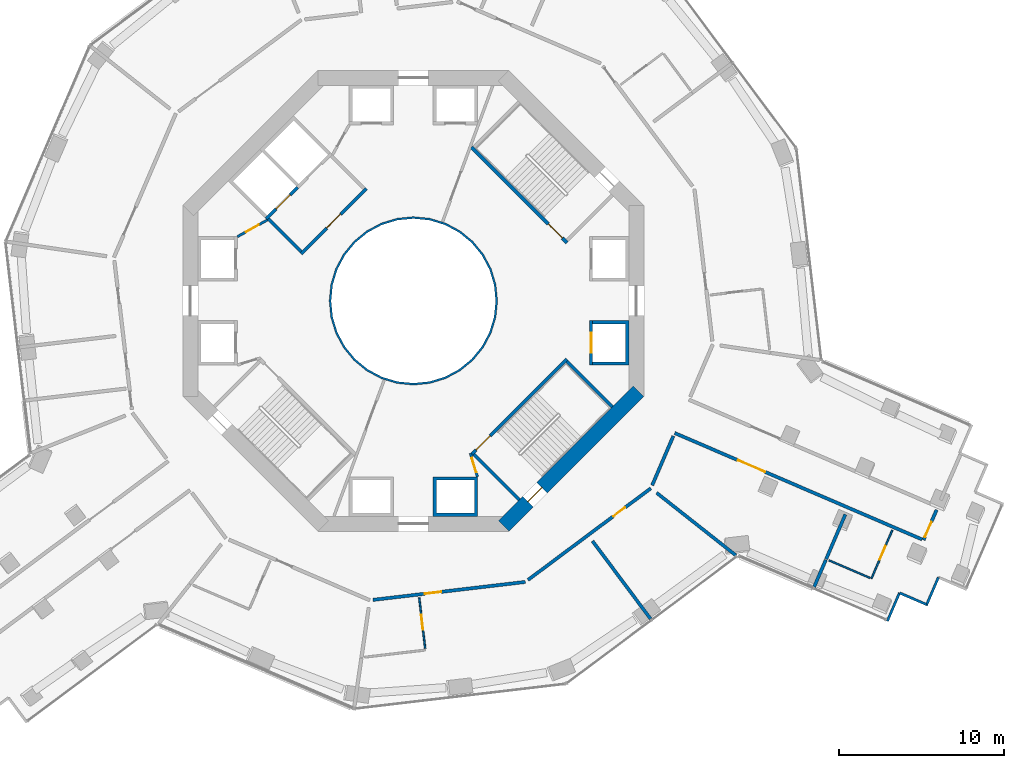
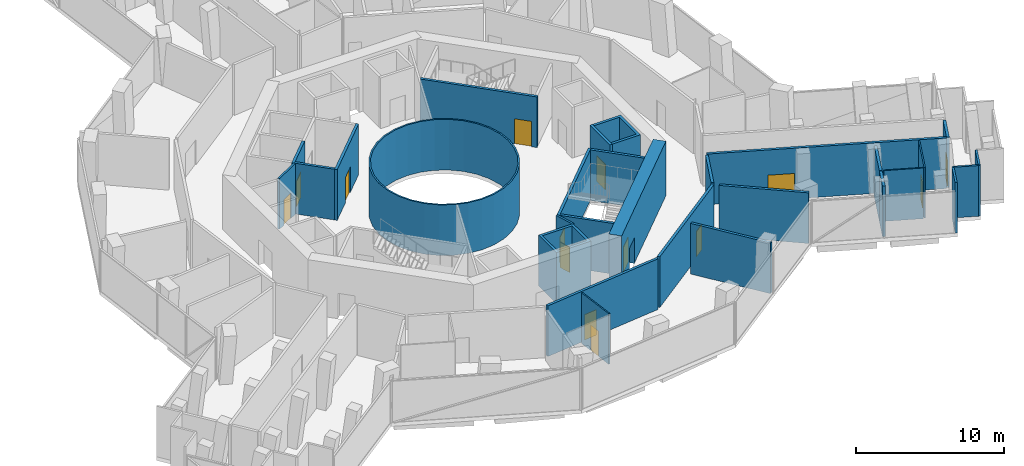
# One storey, part 12 of 17: 29 walls, 14 doors, 14 openings.
"""IFC4 building model written with IfcOpenShell, lengths in metres."""

from ifc_helpers import new_model, si_unit, direction, frame, frame_2d, origin, place, context, subcontext, project, spatial, polyline, rectangle, outline, extrude, material, layer, layer_set, type_object, element, fill, save


model = new_model("IFC4")

# Units and contexts
model_context = context("Model", 3, precision=1e-05, world=origin(), true_north=direction((0.0, 1.0)))
body_context = subcontext(model_context, "Body", "Model", "MODEL_VIEW")
ifc_project = project(units=[si_unit("LENGTHUNIT", "METRE"), si_unit("AREAUNIT", "SQUARE_METRE"), si_unit("VOLUMEUNIT", "CUBIC_METRE"), si_unit("PLANEANGLEUNIT", "RADIAN"), si_unit("MASSUNIT", "GRAM", prefix="KILO")], contexts=[model_context])

# Site, building, storey
site_placement = place(None, origin())
site = spatial("IfcSite", under=ifc_project, at=site_placement, CompositionType="ELEMENT")
building_placement = place(site_placement, origin())
building = spatial("IfcBuilding", under=site, at=building_placement, Name="Verdalira Terraces Hotel", CompositionType="ELEMENT")
storey_placement = place(building_placement, frame((0.0, 0.0, 60.0)))
storey = spatial("IfcBuildingStorey", under=building, at=storey_placement, Name="L13", CompositionType="ELEMENT", Elevation=60.0)

# Wall
ifc_material_1 = material(Name="Fire-resisting glass EI 180", Category="glass")
ifc_layer_1 = layer(ifc_material_1, 0.1201171875)
ifc_layer_set_1 = layer_set([ifc_layer_1], Name="Atrium fire screen 120 mm")
wall_type_1 = type_object("IfcWallType", Name="Atrium fire screen 120 mm", PredefinedType="SOLIDWALL", material=ifc_layer_set_1)
wall_1_placement = place(storey_placement, origin())
element("IfcWall", 1, at=wall_1_placement, inside=storey, type_object=wall_type_1, Name="Atrium fire screen", PredefinedType="SOLIDWALL", context=body_context, shape_type="SweptSolid", body=[
    extrude(outline(polyline([(5.021484, -0.998779), (4.730225, -1.959229), (4.25708, -2.844482), (3.620361, -3.620361), (2.844482, -4.25708), (1.959229, -4.730225), (0.998779, -5.021484), (0.0, -5.120117), (-0.998779, -5.021484), (-1.959229, -4.730225), (-2.844482, -4.25708), (-3.620361, -3.620361), (-4.25708, -2.844482), (-4.730225, -1.959229), (-5.021484, -0.998779), (-5.120117, 0.0), (-5.021484, 0.998779), (-4.730225, 1.959229), (-4.25708, 2.844482), (-3.620361, 3.620361), (-2.844482, 4.25708), (-1.959229, 4.730225), (-0.998779, 5.021484), (0.0, 5.120117), (0.998779, 5.021484), (1.959229, 4.730225), (2.844482, 4.25708), (3.620361, 3.620361), (4.25708, 2.844482), (4.730225, 1.959229), (5.021484, 0.998779), (5.120117, 0.0), (5.021484, -0.998779)]), holes=[polyline([(4.903809, 0.975586), (4.619385, 1.91333), (4.157227, 2.777832), (3.5354, 3.5354), (2.777832, 4.157227), (1.91333, 4.619385), (0.975586, 4.903809), (0.0, 5.0), (-0.975586, 4.903809), (-1.91333, 4.619385), (-2.777832, 4.157227), (-3.5354, 3.5354), (-4.157227, 2.777832), (-4.619385, 1.91333), (-4.903809, 0.975586), (-5.0, 0.0), (-4.903809, -0.975586), (-4.619385, -1.91333), (-4.157227, -2.777832), (-3.5354, -3.5354), (-2.777832, -4.157227), (-1.91333, -4.619385), (-0.975586, -4.903809), (0.0, -5.0), (0.975586, -4.903809), (1.91333, -4.619385), (2.777832, -4.157227), (3.5354, -3.5354), (4.157227, -2.777832), (4.619385, -1.91333), (4.903809, -0.975586), (5.0, 0.0), (4.903809, 0.975586)])]), origin(), (0.0, 0.0, 1.0), 4.189941),
])

# Wall, opening, door
ifc_material_2 = material(Name="Moisture-resistant gypsum board partition")
ifc_layer_2 = layer(ifc_material_2, 0.10009765625)
ifc_layer_set_2 = layer_set([ifc_layer_2], Name="Bathroom partition 100 mm")
wall_type_2 = type_object("IfcWallType", Name="Bathroom partition 100 mm", PredefinedType="PARTITIONING", material=ifc_layer_set_2)
wall_2_placement = place(storey_placement, frame((0.718018, -21.119385, 0.0), z_axis=(0.0, 0.0, 1.0), x_axis=(-0.117033166, 0.993128007, 0.0)))
wall_2 = element("IfcWall", 2, at=wall_2_placement, inside=storey, type_object=wall_type_2, Name="Bathroom partition", PredefinedType="PARTITIONING", context=body_context, shape_type="SweptSolid", body=[
    extrude(rectangle(XDim=3.099854, YDim=0.100098, at=frame_2d((1.549805, 0.0))), origin(), (0.0, 0.0, 1.0), 4.189941),
])
opening_1_placement = place(wall_2_placement, frame((1.149902, 0.0, 0.0)))
opening_1 = element("IfcOpeningElement", 3, at=opening_1_placement, cuts=wall_2, Name="Opening L13-114", PredefinedType="OPENING", context=body_context, shape_type="SweptSolid", body=[
    extrude(rectangle(XDim=0.899902, YDim=2.100098, at=frame_2d((0.449951, 1.050049))), frame((0.0, 0.060059, 0.0), z_axis=(0.0, -1.0, 0.0), x_axis=(1.0, 0.0, 0.0)), (0.0, 0.0, 1.0), 0.120117),
])
ifc_material_3 = material(Name="Timber door", Category="wood")
door_type_1 = type_object("IfcDoorType", Name="Bathroom door 900 x 2100", OperationType="NOTDEFINED", PredefinedType="DOOR", material=ifc_material_3)
door_1_placement = place(opening_1_placement, origin())
door_1 = element("IfcDoor", 4, at=door_1_placement, inside=storey, type_object=door_type_1, Name="Bathroom door 1310", OperationType="SINGLE_SWING_LEFT", OverallHeight=2.10009765625, OverallWidth=0.89990234375, PredefinedType="DOOR", context=body_context, shape_type="SweptSolid", body=[
    extrude(rectangle(XDim=0.899902, YDim=2.100098, at=frame_2d((0.449951, 1.050049))), frame((0.0, 0.024902, 0.0), z_axis=(0.0, -1.0, 0.0), x_axis=(1.0, 0.0, 0.0)), (0.0, 0.0, 1.0), 0.050049),
])
fill(opening_1, door_1)

# Wall
wall_3_placement = place(storey_placement, frame((27.746094, -16.83667, 0.0), z_axis=(0.0, 0.0, 1.0), x_axis=(-0.918582866, 0.395228438, 0.0)))
element("IfcWall", 5, at=wall_3_placement, inside=storey, type_object=wall_type_2, Name="Bathroom partition", PredefinedType="PARTITIONING", context=body_context, shape_type="SweptSolid", body=[
    extrude(rectangle(XDim=2.699951, YDim=0.100098, at=frame_2d((1.350098, 0.0))), origin(), (0.0, 0.0, 1.0), 4.189941),
])

# Wall, opening, door
wall_4_placement = place(storey_placement, frame((27.837891, -16.876221, 0.0), z_axis=(0.0, 0.0, 1.0), x_axis=(0.395272409, 0.918563946, 0.0)))
wall_4 = element("IfcWall", 6, at=wall_4_placement, inside=storey, type_object=wall_type_2, Name="Bathroom partition", PredefinedType="PARTITIONING", context=body_context, shape_type="SweptSolid", body=[
    extrude(rectangle(XDim=3.199951, YDim=0.100098, at=frame_2d((1.600098, 0.0))), origin(), (0.0, 0.0, 1.0), 4.189941),
])
opening_2_placement = place(wall_4_placement, frame((1.25, 0.0, 0.0)))
opening_2 = element("IfcOpeningElement", 7, at=opening_2_placement, cuts=wall_4, Name="Opening L13-118", PredefinedType="OPENING", context=body_context, shape_type="SweptSolid", body=[
    extrude(rectangle(XDim=0.899902, YDim=2.100098, at=frame_2d((0.449951, 1.050049))), frame((0.0, 0.060059, 0.0), z_axis=(0.0, -1.0, 0.0), x_axis=(1.0, 0.0, 0.0)), (0.0, 0.0, 1.0), 0.120117),
])
door_2_placement = place(opening_2_placement, origin())
door_2 = element("IfcDoor", 8, at=door_2_placement, inside=storey, type_object=door_type_1, Name="Bathroom door 1313", OperationType="SINGLE_SWING_LEFT", OverallHeight=2.10009765625, OverallWidth=0.89990234375, PredefinedType="DOOR", context=body_context, shape_type="SweptSolid", body=[
    extrude(rectangle(XDim=0.899902, YDim=2.100098, at=frame_2d((0.449951, 1.050049))), frame((0.0, 0.024902, 0.0), z_axis=(0.0, -1.0, 0.0), x_axis=(1.0, 0.0, 0.0)), (0.0, 0.0, 1.0), 0.050049),
])
fill(opening_2, door_2)

# Wall
ifc_material_4 = material(Name="Concrete C50", Category="concrete")
ifc_layer_3 = layer(ifc_material_4, 0.199951171875)
ifc_layer_set_3 = layer_set([ifc_layer_3], Name="Core RC wall 200 C50")
wall_type_3 = type_object("IfcWallType", Name="Core RC wall 200 C50", PredefinedType="SOLIDWALL", material=ifc_layer_set_3)
wall_5_placement = place(storey_placement, origin())
element("IfcWall", 9, at=wall_5_placement, inside=storey, type_object=wall_type_3, Name="L13 shaft wall E1", PredefinedType="SOLIDWALL", context=body_context, shape_type="SweptSolid", body=[
    extrude(outline(polyline([(13.100098, -3.899902), (10.899902, -3.899902), (10.899902, -3.699951), (12.899902, -3.699951), (12.899902, -1.399902), (10.899902, -1.399902), (10.899902, -1.199951), (13.100098, -1.199951), (13.100098, -3.899902)])), origin(), (0.0, 0.0, 1.0), 4.189941),
])

# Wall, opening, door
wall_6_placement = place(storey_placement, frame((10.800049, -1.199951, 0.0), z_axis=(0.0, 0.0, 1.0), x_axis=(0.0, -1.0, 0.0)))
wall_6 = element("IfcWall", 10, at=wall_6_placement, inside=storey, type_object=wall_type_3, Name="L13 shaft front wall E1", PredefinedType="SOLIDWALL", context=body_context, shape_type="SweptSolid", body=[
    extrude(rectangle(XDim=2.699951, YDim=0.199951, at=frame_2d((1.350098, 0.0))), origin(), (0.0, 0.0, 1.0), 4.189941),
])
opening_3_placement = place(wall_6_placement, frame((0.75, 0.0, 0.0)))
opening_3 = element("IfcOpeningElement", 11, at=opening_3_placement, cuts=wall_6, Name="Opening LD-L13-801", PredefinedType="OPENING", context=body_context, shape_type="SweptSolid", body=[
    extrude(rectangle(XDim=1.199951, YDim=2.100098, at=frame_2d((0.600098, 1.050049))), frame((0.0, 0.109863, 0.0), z_axis=(0.0, -1.0, 0.0), x_axis=(1.0, 0.0, 0.0)), (0.0, 0.0, 1.0), 0.219971),
])
ifc_material_5 = material(Name="Stainless steel", Category="steel")
door_type_2 = type_object("IfcDoorType", Name="Landing door 1200 x 2100", OperationType="NOTDEFINED", PredefinedType="DOOR", material=ifc_material_5)
door_3_placement = place(opening_3_placement, origin())
door_3 = element("IfcDoor", 12, at=door_3_placement, inside=storey, type_object=door_type_2, Name="Lift landing door LR1 L13", OperationType="DOUBLE_DOOR_SLIDING", OverallHeight=2.10009765625, OverallWidth=1.199951171875, PredefinedType="DOOR", context=body_context, shape_type="SweptSolid", body=[
    extrude(rectangle(XDim=1.199951, YDim=2.100098, at=frame_2d((0.600098, 1.050049))), frame((0.0, 0.024902, 0.0), z_axis=(0.0, -1.0, 0.0), x_axis=(1.0, 0.0, 0.0)), (0.0, 0.0, 1.0), 0.050049),
])
fill(opening_3, door_3)

# Wall
wall_7_placement = place(storey_placement, origin())
element("IfcWall", 13, at=wall_7_placement, inside=storey, type_object=wall_type_3, Name="L13 shaft wall S2", PredefinedType="SOLIDWALL", context=body_context, shape_type="SweptSolid", body=[
    extrude(outline(polyline([(3.899902, -10.699951), (3.899902, -13.100098), (1.199951, -13.100098), (1.199951, -10.699951), (3.899902, -10.699951)]), holes=[polyline([(1.399902, -12.899902), (3.699951, -12.899902), (3.699951, -10.899902), (1.399902, -10.899902), (1.399902, -12.899902)])]), origin(), (0.0, 0.0, 1.0), 4.189941),
])

# Wall, opening, door
wall_8_placement = place(storey_placement, frame((-7.035645, 6.894287, 0.0), z_axis=(0.0, 0.0, 1.0), x_axis=(-0.707106781, -0.707106781, 0.0)))
wall_8 = element("IfcWall", 14, at=wall_8_placement, inside=storey, type_object=wall_type_3, Name="L13 shaft front wall F2", PredefinedType="SOLIDWALL", context=body_context, shape_type="SweptSolid", body=[
    extrude(rectangle(XDim=2.699951, YDim=0.199951, at=frame_2d((1.350098, 0.0))), origin(), (0.0, 0.0, 1.0), 4.189941),
])
opening_4_placement = place(wall_8_placement, frame((0.649902, 0.0, 0.0)))
opening_4 = element("IfcOpeningElement", 15, at=opening_4_placement, cuts=wall_8, Name="Opening LD-L13-808", PredefinedType="OPENING", context=body_context, shape_type="SweptSolid", body=[
    extrude(rectangle(XDim=1.199951, YDim=2.100098, at=frame_2d((0.600098, 1.050049))), frame((0.0, 0.109863, 0.0), z_axis=(0.0, -1.0, 0.0), x_axis=(1.0, 0.0, 0.0)), (0.0, 0.0, 1.0), 0.219971),
])
door_4_placement = place(opening_4_placement, origin())
door_4 = element("IfcDoor", 16, at=door_4_placement, inside=storey, type_object=door_type_2, Name="Lift landing door LF12 L13", OperationType="DOUBLE_DOOR_SLIDING", OverallHeight=2.10009765625, OverallWidth=1.199951171875, PredefinedType="DOOR", context=body_context, shape_type="SweptSolid", body=[
    extrude(rectangle(XDim=1.199951, YDim=2.100098, at=frame_2d((0.600098, 1.050049))), frame((0.0, 0.024902, 0.0), z_axis=(0.0, -1.0, 0.0), x_axis=(1.0, 0.0, 0.0)), (0.0, 0.0, 1.0), 0.050049),
])
fill(opening_4, door_4)

wall_9_placement = place(storey_placement, frame((3.5354, 9.33374, 0.0), z_axis=(0.0, 0.0, 1.0), x_axis=(0.707106781, -0.707106781, 0.0)))
wall_9 = element("IfcWall", 17, at=wall_9_placement, inside=storey, type_object=wall_type_3, Name="L13 stair ST1 front wall", PredefinedType="SOLIDWALL", context=body_context, shape_type="SweptSolid", body=[
    extrude(rectangle(XDim=8.200195, YDim=0.199951, at=frame_2d((4.100098, 0.0))), origin(), (0.0, 0.0, 1.0), 4.189941),
])
opening_5_placement = place(wall_9_placement, frame((6.600098, 0.0, 0.0)))
opening_5 = element("IfcOpeningElement", 18, at=opening_5_placement, cuts=wall_9, Name="Opening L13-809", PredefinedType="OPENING", context=body_context, shape_type="SweptSolid", body=[
    extrude(rectangle(XDim=1.199951, YDim=2.100098, at=frame_2d((0.600098, 1.050049))), frame((0.0, 0.109863, 0.0), z_axis=(0.0, -1.0, 0.0), x_axis=(1.0, 0.0, 0.0)), (0.0, 0.0, 1.0), 0.219971),
])
ifc_material_6 = material(Name="Steel fire door", Category="steel")
door_type_3 = type_object("IfcDoorType", Name="Stair door 1200 x 2100", OperationType="NOTDEFINED", PredefinedType="DOOR", material=ifc_material_6)
door_5_placement = place(opening_5_placement, origin())
door_5 = element("IfcDoor", 19, at=door_5_placement, inside=storey, type_object=door_type_3, Name="Stair door ST1 L13", OperationType="SINGLE_SWING_RIGHT", OverallHeight=2.10009765625, OverallWidth=1.199951171875, PredefinedType="DOOR", context=body_context, shape_type="SweptSolid", body=[
    extrude(rectangle(XDim=1.199951, YDim=2.100098, at=frame_2d((0.600098, 1.050049))), frame((0.0, 0.024902, 0.0), z_axis=(0.0, -1.0, 0.0), x_axis=(1.0, 0.0, 0.0)), (0.0, 0.0, 1.0), 0.050049),
])
fill(opening_5, door_5)

wall_10_placement = place(storey_placement, frame((9.33374, -3.5354, 0.0), z_axis=(0.0, 0.0, 1.0), x_axis=(-0.707106781, -0.707106781, 0.0)))
wall_10 = element("IfcWall", 20, at=wall_10_placement, inside=storey, type_object=wall_type_3, Name="L13 stair ST3 front wall", PredefinedType="SOLIDWALL", context=body_context, shape_type="SweptSolid", body=[
    extrude(rectangle(XDim=8.200195, YDim=0.199951, at=frame_2d((4.100098, 0.0))), origin(), (0.0, 0.0, 1.0), 4.189941),
])
opening_6_placement = place(wall_10_placement, frame((6.600098, 0.0, 0.0)))
opening_6 = element("IfcOpeningElement", 21, at=opening_6_placement, cuts=wall_10, Name="Opening L13-811", PredefinedType="OPENING", context=body_context, shape_type="SweptSolid", body=[
    extrude(rectangle(XDim=1.199951, YDim=2.100098, at=frame_2d((0.600098, 1.050049))), frame((0.0, 0.109863, 0.0), z_axis=(0.0, -1.0, 0.0), x_axis=(1.0, 0.0, 0.0)), (0.0, 0.0, 1.0), 0.219971),
])
door_6_placement = place(opening_6_placement, origin())
door_6 = element("IfcDoor", 22, at=door_6_placement, inside=storey, type_object=door_type_3, Name="Stair door ST3 L13", OperationType="SINGLE_SWING_RIGHT", OverallHeight=2.10009765625, OverallWidth=1.199951171875, PredefinedType="DOOR", context=body_context, shape_type="SweptSolid", body=[
    extrude(rectangle(XDim=1.199951, YDim=2.100098, at=frame_2d((0.600098, 1.050049))), frame((0.0, 0.024902, 0.0), z_axis=(0.0, -1.0, 0.0), x_axis=(1.0, 0.0, 0.0)), (0.0, 0.0, 1.0), 0.050049),
])
fill(opening_6, door_6)

# Walls
for number, where, z_axis, x_axis, name in (
    (23, (3.677002, -9.33374, 0.0), (0.0, 0.0, 1.0), (0.707106781, -0.707106781, 0.0), "L13 stair ST3 end wall 1"),
    (24, (9.33374, -3.677002, 0.0), (0.0, 0.0, 1.0), (0.707106781, -0.707106781, 0.0), "L13 stair ST3 end wall 2"),
):
    element("IfcWall", number, at=place(storey_placement, frame(where, z_axis=z_axis, x_axis=x_axis)), inside=storey, type_object=wall_type_3, Name=name, PredefinedType="SOLIDWALL", context=body_context, shape_type="SweptSolid", body=[
        extrude(rectangle(XDim=3.900146, YDim=0.199951, at=frame_2d((1.950195, 0.0))), origin(), (0.0, 0.0, 1.0), 4.189941),
    ])

# Wall, opening, door
wall_11_placement = place(storey_placement, frame((-2.86377, 6.823486, 0.0), z_axis=(0.0, 0.0, 1.0), x_axis=(-0.707106781, -0.707106781, 0.0)))
wall_11 = element("IfcWall", 25, at=wall_11_placement, inside=storey, type_object=wall_type_3, Name="L13 fire lobby wall", PredefinedType="SOLIDWALL", context=body_context, shape_type="SweptSolid", body=[
    extrude(rectangle(XDim=5.599854, YDim=0.199951, at=frame_2d((2.799805, 0.0))), origin(), (0.0, 0.0, 1.0), 4.189941),
])
opening_7_placement = place(wall_11_placement, frame((2.199951, 0.0, 0.0)))
opening_7 = element("IfcOpeningElement", 26, at=opening_7_placement, cuts=wall_11, Name="Opening L13-819", PredefinedType="OPENING", context=body_context, shape_type="SweptSolid", body=[
    extrude(rectangle(XDim=1.199951, YDim=2.100098, at=frame_2d((0.600098, 1.050049))), frame((0.0, 0.109863, 0.0), z_axis=(0.0, -1.0, 0.0), x_axis=(1.0, 0.0, 0.0)), (0.0, 0.0, 1.0), 0.219971),
])
ifc_material_7 = material(Name="Steel fire door", Category="steel")
door_type_4 = type_object("IfcDoorType", Name="Lobby door 1200 x 2100", OperationType="NOTDEFINED", PredefinedType="DOOR", material=ifc_material_7)
door_7_placement = place(opening_7_placement, origin())
door_7 = element("IfcDoor", 27, at=door_7_placement, inside=storey, type_object=door_type_4, Name="Fire lobby door L13", OperationType="SINGLE_SWING_LEFT", OverallHeight=2.10009765625, OverallWidth=1.199951171875, PredefinedType="DOOR", context=body_context, shape_type="SweptSolid", body=[
    extrude(rectangle(XDim=1.199951, YDim=2.100098, at=frame_2d((0.600098, 1.050049))), frame((0.0, 0.024902, 0.0), z_axis=(0.0, -1.0, 0.0), x_axis=(1.0, 0.0, 0.0)), (0.0, 0.0, 1.0), 0.050049),
])
fill(opening_7, door_7)

# Wall
wall_12_placement = place(storey_placement, frame((-6.823486, 3.005127, 0.0), z_axis=(0.0, 0.0, 1.0), x_axis=(-0.707106781, 0.707106781, 0.0)))
element("IfcWall", 28, at=wall_12_placement, inside=storey, type_object=wall_type_3, Name="L13 fire lobby wall", PredefinedType="SOLIDWALL", context=body_context, shape_type="SweptSolid", body=[
    extrude(rectangle(XDim=2.800049, YDim=0.199951, at=frame_2d((1.399902, 0.0))), origin(), (0.0, 0.0, 1.0), 4.189941),
])

# Wall, opening, door
ifc_material_8 = material(Name="Gypsum board partition")
ifc_layer_4 = layer(ifc_material_8, 0.14990234375)
ifc_layer_set_4 = layer_set([ifc_layer_4], Name="Core partition 150 mm")
wall_type_4 = type_object("IfcWallType", Name="Core partition 150 mm", PredefinedType="PARTITIONING", material=ifc_layer_set_4)
wall_13_placement = place(storey_placement, frame((-8.874268, 4.914307, 0.0), z_axis=(0.0, 0.0, 1.0), x_axis=(-0.874129705, -0.485692555, 0.0)))
wall_13 = element("IfcWall", 29, at=wall_13_placement, inside=storey, type_object=wall_type_4, Name="Room partition L13", PredefinedType="PARTITIONING", context=body_context, shape_type="SweptSolid", body=[
    extrude(rectangle(XDim=2.088623, YDim=0.149902, at=frame_2d((1.044434, 0.0))), origin(), (0.0, 0.0, 1.0), 4.189941),
])
opening_8_placement = place(wall_13_placement, frame((0.594238, 0.0, 0.0)))
opening_8 = element("IfcOpeningElement", 30, at=opening_8_placement, cuts=wall_13, Name="Opening L13-821", PredefinedType="OPENING", context=body_context, shape_type="SweptSolid", body=[
    extrude(rectangle(XDim=0.899902, YDim=2.100098, at=frame_2d((0.449951, 1.050049))), frame((0.0, 0.084961, 0.0), z_axis=(0.0, -1.0, 0.0), x_axis=(1.0, 0.0, 0.0)), (0.0, 0.0, 1.0), 0.169922),
])
ifc_material_9 = material(Name="Steel fire door", Category="steel")
door_type_5 = type_object("IfcDoorType", Name="Core room door 900 x 2100", OperationType="NOTDEFINED", PredefinedType="DOOR", material=ifc_material_9)
door_8_placement = place(opening_8_placement, origin())
door_8 = element("IfcDoor", 31, at=door_8_placement, inside=storey, type_object=door_type_5, Name="Door L13 room3", OperationType="SINGLE_SWING_LEFT", OverallHeight=2.10009765625, OverallWidth=0.89990234375, PredefinedType="DOOR", context=body_context, shape_type="SweptSolid", body=[
    extrude(rectangle(XDim=0.899902, YDim=2.100098, at=frame_2d((0.449951, 1.050049))), frame((0.0, 0.024902, 0.0), z_axis=(0.0, -1.0, 0.0), x_axis=(1.0, 0.0, 0.0)), (0.0, 0.0, 1.0), 0.050049),
])
fill(opening_8, door_8)

wall_14_placement = place(storey_placement, frame((3.899902, -10.699951, 0.0), z_axis=(0.0, 0.0, 1.0), x_axis=(-0.289808785, 0.957084567, 0.0)))
wall_14 = element("IfcWall", 32, at=wall_14_placement, inside=storey, type_object=wall_type_4, Name="Room partition L13", PredefinedType="PARTITIONING", context=body_context, shape_type="SweptSolid", body=[
    extrude(rectangle(XDim=1.501221, YDim=0.149902, at=frame_2d((0.750488, 0.0))), origin(), (0.0, 0.0, 1.0), 4.189941),
])
opening_9_placement = place(wall_14_placement, frame((0.300781, 0.0, 0.0)))
opening_9 = element("IfcOpeningElement", 33, at=opening_9_placement, cuts=wall_14, Name="Opening L13-823", PredefinedType="OPENING", context=body_context, shape_type="SweptSolid", body=[
    extrude(rectangle(XDim=0.899902, YDim=2.100098, at=frame_2d((0.449951, 1.050049))), frame((0.0, 0.084961, 0.0), z_axis=(0.0, -1.0, 0.0), x_axis=(1.0, 0.0, 0.0)), (0.0, 0.0, 1.0), 0.169922),
])
door_9_placement = place(opening_9_placement, origin())
door_9 = element("IfcDoor", 34, at=door_9_placement, inside=storey, type_object=door_type_5, Name="Door L13 room6", OperationType="SINGLE_SWING_LEFT", OverallHeight=2.10009765625, OverallWidth=0.89990234375, PredefinedType="DOOR", context=body_context, shape_type="SweptSolid", body=[
    extrude(rectangle(XDim=0.899902, YDim=2.100098, at=frame_2d((0.449951, 1.050049))), frame((0.0, 0.024902, 0.0), z_axis=(0.0, -1.0, 0.0), x_axis=(1.0, 0.0, 0.0)), (0.0, 0.0, 1.0), 0.050049),
])
fill(opening_9, door_9)

ifc_material_10 = material(Name="Concrete C70", Category="concrete")
ifc_layer_5 = layer(ifc_material_10, 0.89990234375)
ifc_layer_set_5 = layer_set([ifc_layer_5], Name="Core wall 900 C70")
wall_type_5 = type_object("IfcWallType", Name="Core wall 900 C70", PredefinedType="SHEAR", material=ifc_layer_set_5)
wall_15_placement = place(storey_placement, frame((5.480713, -13.681885, 0.0), z_axis=(0.0, 0.0, 1.0), x_axis=(0.707106781, 0.707106781, 0.0)))
wall_15 = element("IfcWall", 35, at=wall_15_placement, inside=storey, type_object=wall_type_5, Name="Core wall CW-L13-8", PredefinedType="SHEAR", context=body_context, shape_type="SweptSolid", body=[
    extrude(rectangle(XDim=11.598145, YDim=0.899902, at=frame_2d((5.799072, 0.0))), origin(), (0.0, 0.0, 1.0), 4.5),
])
opening_10_placement = place(wall_15_placement, frame((2.099121, 0.0, 0.0)))
opening_10 = element("IfcOpeningElement", 36, at=opening_10_placement, cuts=wall_15, Name="Opening L13-818", PredefinedType="OPENING", context=body_context, shape_type="SweptSolid", body=[
    extrude(rectangle(XDim=1.199951, YDim=2.100098, at=frame_2d((0.600098, 1.050049))), frame((0.0, 0.459961, 0.0), z_axis=(0.0, -1.0, 0.0), x_axis=(1.0, 0.0, 0.0)), (0.0, 0.0, 1.0), 0.919922),
])
door_10_placement = place(opening_10_placement, origin())
door_10 = element("IfcDoor", 37, at=door_10_placement, inside=storey, type_object=door_type_3, Name="Stair exit door ST3 L13", OperationType="SINGLE_SWING_LEFT", OverallHeight=2.10009765625, OverallWidth=1.199951171875, PredefinedType="DOOR", context=body_context, shape_type="SweptSolid", body=[
    extrude(rectangle(XDim=1.199951, YDim=2.100098, at=frame_2d((0.600098, 1.050049))), frame((0.0, 0.024902, 0.0), z_axis=(0.0, -1.0, 0.0), x_axis=(1.0, 0.0, 0.0)), (0.0, 0.0, 1.0), 0.050049),
])
fill(opening_10, door_10)

# Walls
ifc_material_11 = material(Name="Fire-rated gypsum board wall")
ifc_layer_6 = layer(ifc_material_11, 0.199951171875)
ifc_layer_set_6 = layer_set([ifc_layer_6], Name="Demising wall 200 mm")
wall_type_6 = type_object("IfcWallType", Name="Demising wall 200 mm", PredefinedType="SOLIDWALL", material=ifc_layer_set_6)
wall_16_placement = place(storey_placement, frame((25.063232, -15.734619, 0.0), z_axis=(0.0, 0.0, 1.0), x_axis=(-0.395210692, -0.918590501, 0.0)))
element("IfcWall", 38, at=wall_16_placement, inside=storey, type_object=wall_type_6, Name="Demising wall", PredefinedType="SOLIDWALL", context=body_context, shape_type="SweptSolid", body=[
    extrude(rectangle(XDim=1.802002, YDim=0.199951, at=frame_2d((0.900879, 0.0))), origin(), (0.0, 0.0, 1.0), 4.189941),
])
wall_17_placement = place(storey_placement, frame((26.249268, -12.978271, 0.0), z_axis=(0.0, 0.0, 1.0), x_axis=(-0.395285049, -0.918558506, 0.0)))
element("IfcWall", 39, at=wall_17_placement, inside=storey, type_object=wall_type_6, Name="Demising wall", PredefinedType="SOLIDWALL", context=body_context, shape_type="SweptSolid", body=[
    extrude(rectangle(XDim=2.954834, YDim=0.199951, at=frame_2d((1.477539, 0.0))), origin(), (0.0, 0.0, 1.0), 4.189941),
])

# Wall, opening, door
ifc_material_12 = material(Name="Fire-rated gypsum board wall")
ifc_layer_7 = layer(ifc_material_12, 0.199951171875)
ifc_layer_set_7 = layer_set([ifc_layer_7], Name="Guest corridor wall 200 mm")
wall_type_7 = type_object("IfcWallType", Name="Guest corridor wall 200 mm", PredefinedType="SOLIDWALL", material=ifc_layer_set_7)
wall_18_placement = place(storey_placement, frame((6.802979, -17.07959, 0.0), z_axis=(0.0, 0.0, 1.0), x_axis=(-0.993130375, -0.117013065, 0.0)))
wall_18 = element("IfcWall", 40, at=wall_18_placement, inside=storey, type_object=wall_type_7, Name="Guest corridor wall", PredefinedType="SOLIDWALL", context=body_context, shape_type="SweptSolid", body=[
    extrude(rectangle(XDim=9.315918, YDim=0.199951, at=frame_2d((4.657959, 0.0))), origin(), (0.0, 0.0, 1.0), 4.189941),
])
opening_11_placement = place(wall_18_placement, frame((5.149902, 0.0, 0.0)))
opening_11 = element("IfcOpeningElement", 41, at=opening_11_placement, cuts=wall_18, Name="Opening L13-113", PredefinedType="OPENING", context=body_context, shape_type="SweptSolid", body=[
    extrude(rectangle(XDim=1.0, YDim=2.100098, at=frame_2d((0.5, 1.050049))), frame((0.0, 0.109863, 0.0), z_axis=(0.0, -1.0, 0.0), x_axis=(1.0, 0.0, 0.0)), (0.0, 0.0, 1.0), 0.219971),
])
ifc_material_13 = material(Name="Timber fire door", Category="wood")
door_type_6 = type_object("IfcDoorType", Name="Guest entry door 1000 x 2100", OperationType="NOTDEFINED", PredefinedType="DOOR", material=ifc_material_13)
door_11_placement = place(opening_11_placement, origin())
door_11 = element("IfcDoor", 42, at=door_11_placement, inside=storey, type_object=door_type_6, Name="Guest entry door 1310", OperationType="SINGLE_SWING_LEFT", OverallHeight=2.10009765625, OverallWidth=1.0, PredefinedType="DOOR", context=body_context, shape_type="SweptSolid", body=[
    extrude(rectangle(XDim=1.0, YDim=2.100098, at=frame_2d((0.5, 1.050049))), frame((0.0, 0.024902, 0.0), z_axis=(0.0, -1.0, 0.0), x_axis=(1.0, 0.0, 0.0)), (0.0, 0.0, 1.0), 0.050049),
])
fill(opening_11, door_11)

wall_19_placement = place(storey_placement, frame((14.431885, -11.389404, 0.0), z_axis=(0.0, 0.0, 1.0), x_axis=(-0.801560206, -0.59791407, 0.0)))
wall_19 = element("IfcWall", 43, at=wall_19_placement, inside=storey, type_object=wall_type_7, Name="Guest corridor wall", PredefinedType="SOLIDWALL", context=body_context, shape_type="SweptSolid", body=[
    extrude(rectangle(XDim=9.316162, YDim=0.199951, at=frame_2d((4.658203, 0.0))), origin(), (0.0, 0.0, 1.0), 4.189941),
])
opening_12_placement = place(wall_19_placement, frame((1.949951, 0.0, 0.0)))
opening_12 = element("IfcOpeningElement", 44, at=opening_12_placement, cuts=wall_19, Name="Opening L13-115", PredefinedType="OPENING", context=body_context, shape_type="SweptSolid", body=[
    extrude(rectangle(XDim=0.899902, YDim=2.100098, at=frame_2d((0.449951, 1.050049))), frame((0.0, 0.109863, 0.0), z_axis=(0.0, -1.0, 0.0), x_axis=(1.0, 0.0, 0.0)), (0.0, 0.0, 1.0), 0.219971),
])
ifc_material_14 = material(Name="Steel fire door", Category="steel")
door_type_7 = type_object("IfcDoorType", Name="Service room door 900 x 2100", OperationType="NOTDEFINED", PredefinedType="DOOR", material=ifc_material_14)
door_12_placement = place(opening_12_placement, origin())
door_12 = element("IfcDoor", 45, at=door_12_placement, inside=storey, type_object=door_type_7, Name="Service room door 1311", OperationType="SINGLE_SWING_LEFT", OverallHeight=2.10009765625, OverallWidth=0.89990234375, PredefinedType="DOOR", context=body_context, shape_type="SweptSolid", body=[
    extrude(rectangle(XDim=0.899902, YDim=2.100098, at=frame_2d((0.449951, 1.050049))), frame((0.0, 0.024902, 0.0), z_axis=(0.0, -1.0, 0.0), x_axis=(1.0, 0.0, 0.0)), (0.0, 0.0, 1.0), 0.050049),
])
fill(opening_12, door_12)

# Wall
wall_20_placement = place(storey_placement, frame((14.510986, -11.205811, 0.0), z_axis=(0.0, 0.0, 1.0), x_axis=(0.395166864, 0.918609357, 0.0)))
element("IfcWall", 46, at=wall_20_placement, inside=storey, type_object=wall_type_7, Name="Guest corridor wall", PredefinedType="SOLIDWALL", context=body_context, shape_type="SweptSolid", body=[
    extrude(rectangle(XDim=3.258301, YDim=0.199951, at=frame_2d((1.62915, 0.0))), origin(), (0.0, 0.0, 1.0), 4.189941),
])

# Wall, opening, door
wall_21_placement = place(storey_placement, frame((30.909668, -14.496582, 0.0), z_axis=(0.0, 0.0, 1.0), x_axis=(-0.91858541, 0.395222525, 0.0)))
wall_21 = element("IfcWall", 47, at=wall_21_placement, inside=storey, type_object=wall_type_7, Name="Guest corridor wall", PredefinedType="SOLIDWALL", context=body_context, shape_type="SweptSolid", body=[
    extrude(rectangle(XDim=16.364258, YDim=0.199951, at=frame_2d((8.182129, 0.0))), origin(), (0.0, 0.0, 1.0), 4.189941),
])
opening_13_placement = place(wall_21_placement, frame((10.381104, 0.0, 0.0)))
opening_13 = element("IfcOpeningElement", 48, at=opening_13_placement, cuts=wall_21, Name="Opening L13-116", PredefinedType="OPENING", context=body_context, shape_type="SweptSolid", body=[
    extrude(rectangle(XDim=1.800049, YDim=2.100098, at=frame_2d((0.899902, 1.050049))), frame((0.0, 0.109863, 0.0), z_axis=(0.0, -1.0, 0.0), x_axis=(1.0, 0.0, 0.0)), (0.0, 0.0, 1.0), 0.219971),
])
ifc_material_15 = material(Name="Timber fire door", Category="wood")
door_type_8 = type_object("IfcDoorType", Name="Public room double door 1800 x 2100", OperationType="NOTDEFINED", PredefinedType="DOOR", material=ifc_material_15)
door_13_placement = place(opening_13_placement, origin())
door_13 = element("IfcDoor", 49, at=door_13_placement, inside=storey, type_object=door_type_8, Name="Public room double door 1312", OperationType="DOUBLE_DOOR_SINGLE_SWING", OverallHeight=2.10009765625, OverallWidth=1.800048828125, PredefinedType="DOOR", context=body_context, shape_type="SweptSolid", body=[
    extrude(rectangle(XDim=1.800049, YDim=2.100098, at=frame_2d((0.899902, 1.050049))), frame((0.0, 0.024902, 0.0), z_axis=(0.0, -1.0, 0.0), x_axis=(1.0, 0.0, 0.0)), (0.0, 0.0, 1.0), 0.050049),
])
fill(opening_13, door_13)

wall_22_placement = place(storey_placement, frame((31.794678, -12.697754, 0.0), z_axis=(0.0, 0.0, 1.0), x_axis=(-0.395259534, -0.918569486, 0.0)))
wall_22 = element("IfcWall", 50, at=wall_22_placement, inside=storey, type_object=wall_type_7, Name="Guest corridor wall", PredefinedType="SOLIDWALL", context=body_context, shape_type="SweptSolid", body=[
    extrude(rectangle(XDim=2.0, YDim=0.199951, at=frame_2d((1.0, 0.0))), origin(), (0.0, 0.0, 1.0), 4.189941),
])
opening_14_placement = place(wall_22_placement, frame((0.800049, 0.0, 0.0)))
opening_14 = element("IfcOpeningElement", 51, at=opening_14_placement, cuts=wall_22, Name="Opening L13-117", PredefinedType="OPENING", context=body_context, shape_type="SweptSolid", body=[
    extrude(rectangle(XDim=1.0, YDim=2.100098, at=frame_2d((0.5, 1.050049))), frame((0.0, 0.109863, 0.0), z_axis=(0.0, -1.0, 0.0), x_axis=(1.0, 0.0, 0.0)), (0.0, 0.0, 1.0), 0.219971),
])
door_14_placement = place(opening_14_placement, origin())
door_14 = element("IfcDoor", 52, at=door_14_placement, inside=storey, type_object=door_type_6, Name="Guest entry door 1313", OperationType="SINGLE_SWING_RIGHT", OverallHeight=2.10009765625, OverallWidth=1.0, PredefinedType="DOOR", context=body_context, shape_type="SweptSolid", body=[
    extrude(rectangle(XDim=1.0, YDim=2.100098, at=frame_2d((0.5, 1.050049))), frame((0.0, 0.024902, 0.0), z_axis=(0.0, -1.0, 0.0), x_axis=(1.0, 0.0, 0.0)), (0.0, 0.0, 1.0), 0.050049),
])
fill(opening_14, door_14)

# Walls
ifc_material_16 = material(Name="Fire-rated gypsum board wall")
ifc_layer_8 = layer(ifc_material_16, 0.199951171875)
ifc_layer_set_8 = layer_set([ifc_layer_8], Name="Service room wall 200 mm")
wall_type_8 = type_object("IfcWallType", Name="Service room wall 200 mm", PredefinedType="SOLIDWALL", material=ifc_layer_set_8)
wall_23_placement = place(storey_placement, frame((14.414551, -19.324463, 0.0), z_axis=(0.0, 0.0, 1.0), x_axis=(-0.597906765, 0.801565655, 0.0)))
element("IfcWall", 53, at=wall_23_placement, inside=storey, type_object=wall_type_8, Name="Service room wall", PredefinedType="SOLIDWALL", context=body_context, shape_type="SweptSolid", body=[
    extrude(rectangle(XDim=5.902832, YDim=0.199951, at=frame_2d((2.951416, 0.0))), origin(), (0.0, 0.0, 1.0), 4.189941),
])
wall_24_placement = place(storey_placement, frame((14.782959, -11.666504, 0.0), z_axis=(0.0, 0.0, 1.0), x_axis=(0.78499995, -0.619495827, 0.0)))
element("IfcWall", 54, at=wall_24_placement, inside=storey, type_object=wall_type_8, Name="Service room wall", PredefinedType="SOLIDWALL", context=body_context, shape_type="SweptSolid", body=[
    extrude(rectangle(XDim=6.13208, YDim=0.199951, at=frame_2d((3.065918, 0.0))), origin(), (0.0, 0.0, 1.0), 4.189941),
])
ifc_material_17 = material(Name="Terracotta cladding", Category="masonry")
ifc_layer_9 = layer(ifc_material_17, 0.14990234375)
ifc_layer_set_9 = layer_set([ifc_layer_9], Name="Terracotta clad wall 150")
wall_type_9 = type_object("IfcWallType", Name="Terracotta clad wall 150", PredefinedType="SOLIDWALL", material=ifc_layer_set_9)
wall_25_placement = place(storey_placement, frame((28.800293, -19.467529, 0.0), z_axis=(0.0, 0.0, 1.0), x_axis=(0.395176094, 0.918605386, 0.0)))
element("IfcWall", 55, at=wall_25_placement, inside=storey, type_object=wall_type_9, Name="Terracotta cladding wall", PredefinedType="SOLIDWALL", context=body_context, shape_type="SweptSolid", body=[
    extrude(rectangle(XDim=1.875, YDim=0.149902, at=frame_2d((0.9375, 0.0))), origin(), (0.0, 0.0, 1.0), 4.189941),
])
wall_26_placement = place(storey_placement, frame((29.54126, -17.745117, 0.0), z_axis=(0.0, 0.0, 1.0), x_axis=(0.918589927, -0.395212026, 0.0)))
element("IfcWall", 56, at=wall_26_placement, inside=storey, type_object=wall_type_9, Name="Terracotta cladding wall", PredefinedType="SOLIDWALL", context=body_context, shape_type="SweptSolid", body=[
    extrude(rectangle(XDim=1.800049, YDim=0.149902, at=frame_2d((0.899902, 0.0))), origin(), (0.0, 0.0, 1.0), 4.189941),
])
wall_27_placement = place(storey_placement, frame((31.165039, -18.525391, 0.0), z_axis=(0.0, 0.0, 1.0), x_axis=(0.395333238, 0.918537768, 0.0)))
element("IfcWall", 57, at=wall_27_placement, inside=storey, type_object=wall_type_9, Name="Terracotta cladding wall", PredefinedType="SOLIDWALL", context=body_context, shape_type="SweptSolid", body=[
    extrude(rectangle(XDim=1.875, YDim=0.149902, at=frame_2d((0.9375, 0.0))), origin(), (0.0, 0.0, 1.0), 4.189941),
])

save(model, "model.ifc")
